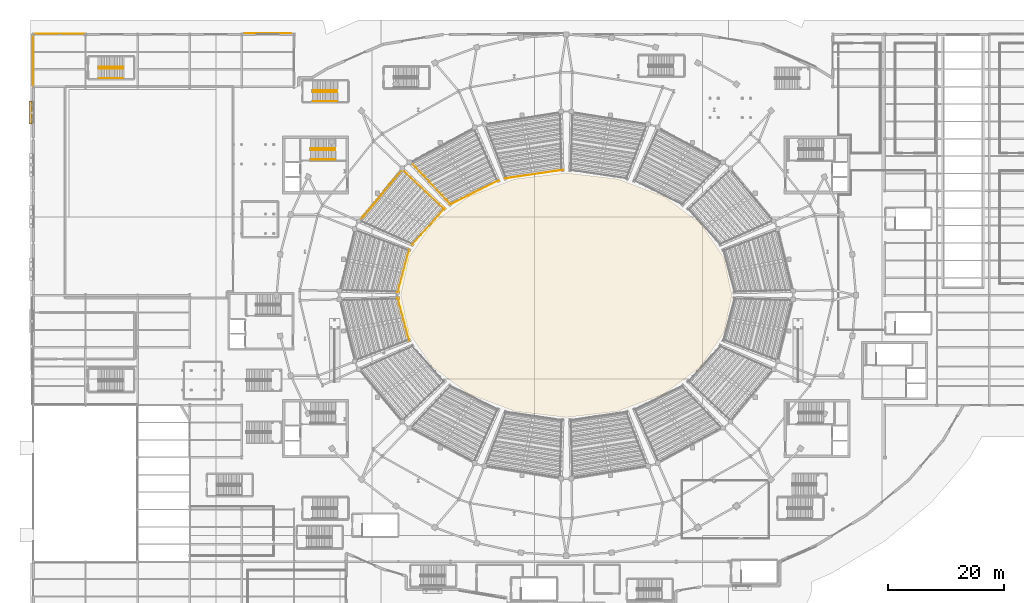
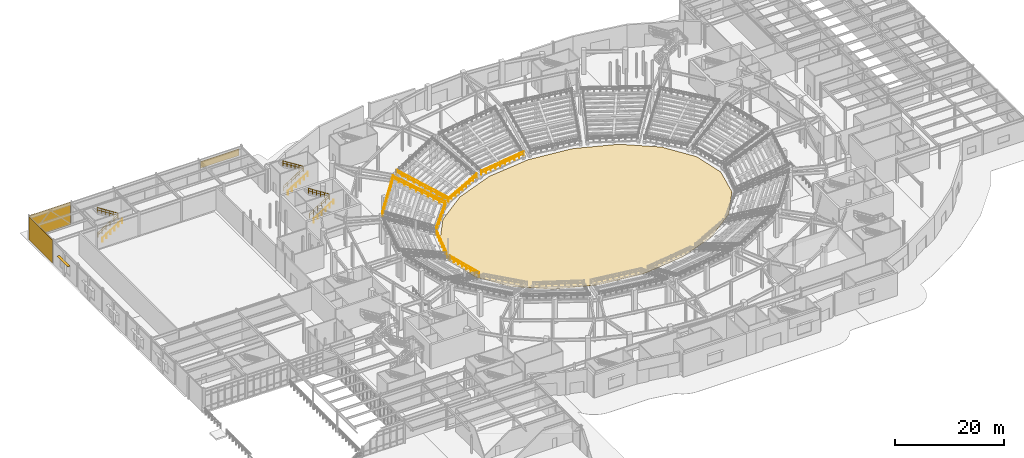
# One storey, part 75 of 79: 14 railings, 4 coverings, 1 shading device.
"""IFC4 building model written with IfcOpenShell, lengths in metres."""

from ifc_helpers import new_model, si_unit, direction, frame, origin, origin_2d, place, context, subcontext, project, spatial, polyline, rectangle, circle, outline, extrude, material, layer, layer_set, type_object, element, save


model = new_model("IFC4")

# Units and contexts
model_context = context("Model", 3, precision=1e-05, world=origin(), true_north=direction((0.0, 1.0)))
body_context = subcontext(model_context, "Body", "Model", "MODEL_VIEW")
ifc_project = project(units=[si_unit("LENGTHUNIT", "METRE"), si_unit("AREAUNIT", "SQUARE_METRE"), si_unit("VOLUMEUNIT", "CUBIC_METRE"), si_unit("PLANEANGLEUNIT", "RADIAN"), si_unit("MASSUNIT", "GRAM", prefix="KILO")], contexts=[model_context])

# Site, building, storey
site_placement = place(None, origin())
site = spatial("IfcSite", under=ifc_project, at=site_placement, CompositionType="ELEMENT")
building_placement = place(site_placement, origin())
building = spatial("IfcBuilding", under=site, at=building_placement, Name="Glasvene Arena", CompositionType="ELEMENT")
storey_placement = place(building_placement, origin())
storey = spatial("IfcBuildingStorey", under=building, at=storey_placement, Name="L00", CompositionType="ELEMENT", Elevation=0.0)

# Coverings
ifc_material_1 = material(Name="Coursed pale Irish limestone", Category="masonry")
ifc_layer_1 = layer(ifc_material_1, 0.050048828125)
ifc_layer_set_1 = layer_set([ifc_layer_1], Name="Coursed pale Irish limestone")
covering_type_1 = type_object("IfcCoveringType", Name="COV-CLAD-LIM", PredefinedType="CLADDING", material=ifc_layer_set_1)
covering_1_placement = place(storey_placement, frame((-0.139892578125, 113.467041015625, 0.0), z_axis=(0.0, 0.0, 1.0), x_axis=(0.0, 1.0, 0.0)))
element("IfcCovering", 1, at=covering_1_placement, inside=storey, type_object=covering_type_1, Name="Braced bay architectural cladding screen L00-010", PredefinedType="CLADDING", context=body_context, shape_type="SweptSolid", body=[
    extrude(rectangle(XDim=8.601806640625, YDim=0.050048828125, at=origin_2d()), origin(), (0.0, 0.0, 1.0), 5.1201171875),
])
covering_2_placement = place(storey_placement, frame((4.481689453125, 118.139892578125, 0.0), z_axis=(0.0, 0.0, 1.0), x_axis=(1.0, 0.0, 0.0)))
element("IfcCovering", 2, at=covering_2_placement, inside=storey, type_object=covering_type_1, Name="Braced bay architectural cladding screen L00-011", PredefinedType="CLADDING", context=body_context, shape_type="SweptSolid", body=[
    extrude(rectangle(XDim=8.69970703125, YDim=0.050048828125, at=origin_2d()), origin(), (0.0, 0.0, 1.0), 5.1201171875),
])
covering_3_placement = place(storey_placement, frame((40.48193359375, 118.219970703125, 2.949951171875), z_axis=(0.0, 0.0, 1.0), x_axis=(1.0, 0.0, 0.0)))
element("IfcCovering", 3, at=covering_3_placement, inside=storey, type_object=covering_type_1, Name="Irish limestone spandrel cladding EW-L00-0010", PredefinedType="CLADDING", context=body_context, shape_type="SweptSolid", body=[
    extrude(rectangle(XDim=8.15966796875, YDim=0.050048828125, at=origin_2d()), origin(), (0.0, 0.0, 1.0), 1.50732421875),
])
ifc_material_2 = material(Name="Sprung European maple sports flooring")
ifc_layer_2 = layer(ifc_material_2, 0.050048828125)
ifc_layer_set_2 = layer_set([ifc_layer_2], Name="Sprung European maple sports flooring")
covering_type_2 = type_object("IfcCoveringType", Name="COV-FLR-COURT", PredefinedType="FLOORING", material=ifc_layer_set_2)
covering_4_placement = place(storey_placement, frame((92.0, 73.0, 0.0)))
element("IfcCovering", 4, at=covering_4_placement, inside=storey, type_object=covering_type_2, Name="Event arena floor sprung maple sports surface", PredefinedType="FLOORING", context=body_context, shape_type="SweptSolid", body=[
    extrude(outline(polyline([(28.591064453125, 0.0), (27.2060546875, -6.482666015625), (23.169677734375, -12.355712890625), (16.852294921875, -17.039306640625), (8.8662109375, -20.05615234375), (0.0, -21.097412109375), (-8.8662109375, -20.05615234375), (-16.852294921875, -17.039306640625), (-23.169677734375, -12.355712890625), (-27.2060546875, -6.482666015625), (-28.591064453125, 0.0), (-27.2060546875, 6.482666015625), (-23.169677734375, 12.355712890625), (-16.852294921875, 17.039306640625), (-8.8662109375, 20.05615234375), (0.0, 21.097412109375), (8.8662109375, 20.05615234375), (16.852294921875, 17.039306640625), (23.169677734375, 12.355712890625), (27.2060546875, 6.482666015625), (28.591064453125, 0.0)])), origin(), (0.0, 0.0, 1.0), 0.050048828125),
])

# Railings
ifc_material_3 = material(Name="Brushed stainless steel", Category="steel")
railing_type_1 = type_object("IfcRailingType", Name="RL-GUARD-1100", PredefinedType="GUARDRAIL", material=ifc_material_3)
railing_1_placement = place(storey_placement, frame((47.85009765625, 98.010009765625, 0.0)))
element("IfcRailing", 5, at=railing_1_placement, inside=storey, type_object=railing_type_1, Name="Stair inner well continuous guardrail ST-01-L00", PredefinedType="GUARDRAIL", context=body_context, shape_type="SweptSolid", body=[
    extrude(circle(Radius=0.02392578125, at=origin_2d()), frame((0.0, 0.0, 1.076171875), z_axis=(0.843501457581, 0.0, 0.537126885437), x_axis=(0.0, 1.0, 0.0)), (0.0, 0.0, 1.0), 5.026611328125),
    extrude(circle(Radius=0.01611328125, at=origin_2d()), frame((0.0, 0.0, 0.550048828125), z_axis=(0.843501457581, 0.0, 0.537126885437), x_axis=(0.0, 1.0, 0.0)), (0.0, 0.0, 1.0), 5.026611328125),
    extrude(circle(Radius=0.02392578125, at=origin_2d()), frame((4.239990234375, 0.0, 3.77587890625), z_axis=(0.0, 1.0, 0.0), x_axis=(-1.0, 0.0, 0.0)), (0.0, 0.0, 1.0), 0.330078125),
    extrude(circle(Radius=0.01611328125, at=origin_2d()), frame((4.239990234375, 0.0, 3.25), z_axis=(0.0, 1.0, 0.0), x_axis=(-1.0, 0.0, 0.0)), (0.0, 0.0, 1.0), 0.330078125),
    extrude(circle(Radius=0.02392578125, at=origin_2d()), frame((4.239990234375, 0.330078125, 3.77587890625), z_axis=(-0.843501457581, 0.0, 0.537126885437), x_axis=(0.0, -1.0, 0.0)), (0.0, 0.0, 1.0), 5.026611328125),
    extrude(circle(Radius=0.01611328125, at=origin_2d()), frame((4.239990234375, 0.330078125, 3.25), z_axis=(-0.843501457581, 0.0, 0.537126885437), x_axis=(0.0, -1.0, 0.0)), (0.0, 0.0, 1.0), 5.026611328125),
    extrude(circle(Radius=0.02099609375, at=origin_2d()), origin(), (0.0, 0.0, 1.0), 1.052001953125),
    extrude(circle(Radius=0.02099609375, at=origin_2d()), frame((0.847900390625, 0.0, 0.5400390625)), (0.0, 0.0, 1.0), 1.052001953125),
    extrude(circle(Radius=0.02099609375, at=origin_2d()), frame((1.696044921875, 0.0, 1.080078125)), (0.0, 0.0, 1.0), 1.052001953125),
    extrude(circle(Radius=0.02099609375, at=origin_2d()), frame((2.5439453125, 0.0, 1.619873046875)), (0.0, 0.0, 1.0), 1.052001953125),
    extrude(circle(Radius=0.02099609375, at=origin_2d()), frame((3.39208984375, 0.0, 2.159912109375)), (0.0, 0.0, 1.0), 1.052001953125),
    extrude(circle(Radius=0.02099609375, at=origin_2d()), frame((4.239990234375, 0.0, 2.699951171875)), (0.0, 0.0, 1.0), 1.052001953125),
    extrude(circle(Radius=0.02099609375, at=origin_2d()), frame((4.239990234375, 0.330078125, 2.699951171875)), (0.0, 0.0, 1.0), 1.052001953125),
    extrude(circle(Radius=0.02099609375, at=origin_2d()), frame((3.39208984375, 0.330078125, 3.239990234375)), (0.0, 0.0, 1.0), 1.052001953125),
    extrude(circle(Radius=0.02099609375, at=origin_2d()), frame((2.5439453125, 0.330078125, 3.780029296875)), (0.0, 0.0, 1.0), 1.052001953125),
    extrude(circle(Radius=0.02099609375, at=origin_2d()), frame((1.696044921875, 0.330078125, 4.31982421875)), (0.0, 0.0, 1.0), 1.052001953125),
    extrude(circle(Radius=0.02099609375, at=origin_2d()), frame((0.847900390625, 0.330078125, 4.85986328125)), (0.0, 0.0, 1.0), 1.052001953125),
    extrude(circle(Radius=0.02099609375, at=origin_2d()), frame((0.0, 0.330078125, 5.39990234375)), (0.0, 0.0, 1.0), 1.052001953125),
])
railing_2_placement = place(storey_placement, frame((48.199951171875, 108.010009765625, 0.0)))
element("IfcRailing", 6, at=railing_2_placement, inside=storey, type_object=railing_type_1, Name="Stair inner well continuous guardrail ST-12-L00", PredefinedType="GUARDRAIL", context=body_context, shape_type="SweptSolid", body=[
    extrude(circle(Radius=0.02392578125, at=origin_2d()), frame((0.0, 0.0, 1.076171875), z_axis=(0.843501457581, 0.0, 0.537126885437), x_axis=(0.0, 1.0, 0.0)), (0.0, 0.0, 1.0), 5.026611328125),
    extrude(circle(Radius=0.01611328125, at=origin_2d()), frame((0.0, 0.0, 0.550048828125), z_axis=(0.843501457581, 0.0, 0.537126885437), x_axis=(0.0, 1.0, 0.0)), (0.0, 0.0, 1.0), 5.026611328125),
    extrude(circle(Radius=0.02392578125, at=origin_2d()), frame((4.239990234375, 0.0, 3.77587890625), z_axis=(0.0, 1.0, 0.0), x_axis=(-1.0, 0.0, 0.0)), (0.0, 0.0, 1.0), 0.330078125),
    extrude(circle(Radius=0.01611328125, at=origin_2d()), frame((4.239990234375, 0.0, 3.25), z_axis=(0.0, 1.0, 0.0), x_axis=(-1.0, 0.0, 0.0)), (0.0, 0.0, 1.0), 0.330078125),
    extrude(circle(Radius=0.02392578125, at=origin_2d()), frame((4.239990234375, 0.330078125, 3.77587890625), z_axis=(-0.843501457581, 0.0, 0.537126885437), x_axis=(0.0, -1.0, 0.0)), (0.0, 0.0, 1.0), 5.026611328125),
    extrude(circle(Radius=0.01611328125, at=origin_2d()), frame((4.239990234375, 0.330078125, 3.25), z_axis=(-0.843501457581, 0.0, 0.537126885437), x_axis=(0.0, -1.0, 0.0)), (0.0, 0.0, 1.0), 5.026611328125),
    extrude(circle(Radius=0.02099609375, at=origin_2d()), origin(), (0.0, 0.0, 1.0), 1.052001953125),
    extrude(circle(Radius=0.02099609375, at=origin_2d()), frame((0.847900390625, 0.0, 0.5400390625)), (0.0, 0.0, 1.0), 1.052001953125),
    extrude(circle(Radius=0.02099609375, at=origin_2d()), frame((1.696044921875, 0.0, 1.080078125)), (0.0, 0.0, 1.0), 1.052001953125),
    extrude(circle(Radius=0.02099609375, at=origin_2d()), frame((2.5439453125, 0.0, 1.619873046875)), (0.0, 0.0, 1.0), 1.052001953125),
    extrude(circle(Radius=0.02099609375, at=origin_2d()), frame((3.39208984375, 0.0, 2.159912109375)), (0.0, 0.0, 1.0), 1.052001953125),
    extrude(circle(Radius=0.02099609375, at=origin_2d()), frame((4.239990234375, 0.0, 2.699951171875)), (0.0, 0.0, 1.0), 1.052001953125),
    extrude(circle(Radius=0.02099609375, at=origin_2d()), frame((4.239990234375, 0.330078125, 2.699951171875)), (0.0, 0.0, 1.0), 1.052001953125),
    extrude(circle(Radius=0.02099609375, at=origin_2d()), frame((3.39208984375, 0.330078125, 3.239990234375)), (0.0, 0.0, 1.0), 1.052001953125),
    extrude(circle(Radius=0.02099609375, at=origin_2d()), frame((2.5439453125, 0.330078125, 3.780029296875)), (0.0, 0.0, 1.0), 1.052001953125),
    extrude(circle(Radius=0.02099609375, at=origin_2d()), frame((1.696044921875, 0.330078125, 4.31982421875)), (0.0, 0.0, 1.0), 1.052001953125),
    extrude(circle(Radius=0.02099609375, at=origin_2d()), frame((0.847900390625, 0.330078125, 4.85986328125)), (0.0, 0.0, 1.0), 1.052001953125),
    extrude(circle(Radius=0.02099609375, at=origin_2d()), frame((0.0, 0.330078125, 5.39990234375)), (0.0, 0.0, 1.0), 1.052001953125),
])
railing_3_placement = place(storey_placement, frame((11.199951171875, 112.110107421875, 0.0)))
element("IfcRailing", 7, at=railing_3_placement, inside=storey, type_object=railing_type_1, Name="Stair inner well continuous guardrail ST-14-L00", PredefinedType="GUARDRAIL", context=body_context, shape_type="SweptSolid", body=[
    extrude(circle(Radius=0.02392578125, at=origin_2d()), frame((0.0, 0.0, 1.076171875), z_axis=(0.843501457581, 0.0, 0.537126885437), x_axis=(0.0, 1.0, 0.0)), (0.0, 0.0, 1.0), 5.026611328125),
    extrude(circle(Radius=0.01611328125, at=origin_2d()), frame((0.0, 0.0, 0.550048828125), z_axis=(0.843501457581, 0.0, 0.537126885437), x_axis=(0.0, 1.0, 0.0)), (0.0, 0.0, 1.0), 5.026611328125),
    extrude(circle(Radius=0.02392578125, at=origin_2d()), frame((4.239990234375, 0.0, 3.77587890625), z_axis=(0.0, 1.0, 0.0), x_axis=(-1.0, 0.0, 0.0)), (0.0, 0.0, 1.0), 0.329833984375),
    extrude(circle(Radius=0.01611328125, at=origin_2d()), frame((4.239990234375, 0.0, 3.25), z_axis=(0.0, 1.0, 0.0), x_axis=(-1.0, 0.0, 0.0)), (0.0, 0.0, 1.0), 0.329833984375),
    extrude(circle(Radius=0.02392578125, at=origin_2d()), frame((4.239990234375, 0.329833984375, 3.77587890625), z_axis=(-0.843501457581, 0.0, 0.537126885437), x_axis=(0.0, -1.0, 0.0)), (0.0, 0.0, 1.0), 5.026611328125),
    extrude(circle(Radius=0.01611328125, at=origin_2d()), frame((4.239990234375, 0.329833984375, 3.25), z_axis=(-0.843501457581, 0.0, 0.537126885437), x_axis=(0.0, -1.0, 0.0)), (0.0, 0.0, 1.0), 5.026611328125),
    extrude(circle(Radius=0.02099609375, at=origin_2d()), origin(), (0.0, 0.0, 1.0), 1.052001953125),
    extrude(circle(Radius=0.02099609375, at=origin_2d()), frame((0.847900390625, 0.0, 0.5400390625)), (0.0, 0.0, 1.0), 1.052001953125),
    extrude(circle(Radius=0.02099609375, at=origin_2d()), frame((1.696044921875, 0.0, 1.080078125)), (0.0, 0.0, 1.0), 1.052001953125),
    extrude(circle(Radius=0.02099609375, at=origin_2d()), frame((2.5439453125, 0.0, 1.619873046875)), (0.0, 0.0, 1.0), 1.052001953125),
    extrude(circle(Radius=0.02099609375, at=origin_2d()), frame((3.39208984375, 0.0, 2.159912109375)), (0.0, 0.0, 1.0), 1.052001953125),
    extrude(circle(Radius=0.02099609375, at=origin_2d()), frame((4.239990234375, 0.0, 2.699951171875)), (0.0, 0.0, 1.0), 1.052001953125),
    extrude(circle(Radius=0.02099609375, at=origin_2d()), frame((4.239990234375, 0.329833984375, 2.699951171875)), (0.0, 0.0, 1.0), 1.052001953125),
    extrude(circle(Radius=0.02099609375, at=origin_2d()), frame((3.39208984375, 0.329833984375, 3.239990234375)), (0.0, 0.0, 1.0), 1.052001953125),
    extrude(circle(Radius=0.02099609375, at=origin_2d()), frame((2.5439453125, 0.329833984375, 3.780029296875)), (0.0, 0.0, 1.0), 1.052001953125),
    extrude(circle(Radius=0.02099609375, at=origin_2d()), frame((1.696044921875, 0.329833984375, 4.31982421875)), (0.0, 0.0, 1.0), 1.052001953125),
    extrude(circle(Radius=0.02099609375, at=origin_2d()), frame((0.847900390625, 0.329833984375, 4.85986328125)), (0.0, 0.0, 1.0), 1.052001953125),
    extrude(circle(Radius=0.02099609375, at=origin_2d()), frame((0.0, 0.329833984375, 5.39990234375)), (0.0, 0.0, 1.0), 1.052001953125),
])
railing_4_placement = place(storey_placement, frame((91.33935546875, 94.614501953125, 0.760009765625)))
element("IfcRailing", 8, at=railing_4_placement, inside=storey, type_object=railing_type_1, Name="Safety guardrail GD-TL-LF-05-001", PredefinedType="GUARDRAIL", context=body_context, shape_type="SweptSolid", body=[
    extrude(circle(Radius=0.02392578125, at=origin_2d()), frame((0.0, 0.0, 1.076171875), z_axis=(-0.989267876597, -0.146113203828, 0.0), x_axis=(0.146113203828, -0.989267876597, 0.0)), (0.0, 0.0, 1.0), 9.97705078125),
    extrude(circle(Radius=0.01611328125, at=origin_2d()), frame((0.0, 0.0, 0.550048828125), z_axis=(-0.989267876597, -0.146113203828, 0.0), x_axis=(0.146113203828, -0.989267876597, 0.0)), (0.0, 0.0, 1.0), 9.97705078125),
    extrude(circle(Radius=0.02099609375, at=origin_2d()), origin(), (0.0, 0.0, 1.0), 1.052001953125),
    extrude(circle(Radius=0.02099609375, at=origin_2d()), frame((-1.0966796875, -0.161865234375, 0.0)), (0.0, 0.0, 1.0), 1.052001953125),
    extrude(circle(Radius=0.02099609375, at=origin_2d()), frame((-2.193359375, -0.323974609375, 0.0)), (0.0, 0.0, 1.0), 1.052001953125),
    extrude(circle(Radius=0.02099609375, at=origin_2d()), frame((-3.2900390625, -0.48583984375, 0.0)), (0.0, 0.0, 1.0), 1.052001953125),
    extrude(circle(Radius=0.02099609375, at=origin_2d()), frame((-4.38671875, -0.64794921875, 0.0)), (0.0, 0.0, 1.0), 1.052001953125),
    extrude(circle(Radius=0.02099609375, at=origin_2d()), frame((-5.483154296875, -0.809814453125, 0.0)), (0.0, 0.0, 1.0), 1.052001953125),
    extrude(circle(Radius=0.02099609375, at=origin_2d()), frame((-6.579833984375, -0.971923828125, 0.0)), (0.0, 0.0, 1.0), 1.052001953125),
    extrude(circle(Radius=0.02099609375, at=origin_2d()), frame((-7.676513671875, -1.1337890625, 0.0)), (0.0, 0.0, 1.0), 1.052001953125),
    extrude(circle(Radius=0.02099609375, at=origin_2d()), frame((-8.773193359375, -1.2958984375, 0.0)), (0.0, 0.0, 1.0), 1.052001953125),
    extrude(circle(Radius=0.02099609375, at=origin_2d()), frame((-9.869873046875, -1.457763671875, 0.0)), (0.0, 0.0, 1.0), 1.052001953125),
])
railing_5_placement = place(storey_placement, frame((80.248779296875, 92.781494140625, 0.760009765625)))
element("IfcRailing", 9, at=railing_5_placement, inside=storey, type_object=railing_type_1, Name="Safety guardrail GD-TL-LF-06-001", PredefinedType="GUARDRAIL", context=body_context, shape_type="SweptSolid", body=[
    extrude(circle(Radius=0.02392578125, at=origin_2d()), frame((0.0, 0.0, 1.076171875), z_axis=(-0.895823833507, -0.444409337572, 0.0), x_axis=(0.444409337572, -0.895823833507, 0.0)), (0.0, 0.0, 1.0), 9.34033203125),
    extrude(circle(Radius=0.01611328125, at=origin_2d()), frame((0.0, 0.0, 0.550048828125), z_axis=(-0.895823833507, -0.444409337572, 0.0), x_axis=(0.444409337572, -0.895823833507, 0.0)), (0.0, 0.0, 1.0), 9.34033203125),
    extrude(circle(Radius=0.02099609375, at=origin_2d()), origin(), (0.0, 0.0, 1.0), 1.052001953125),
    extrude(circle(Radius=0.02099609375, at=origin_2d()), frame((-1.0458984375, -0.518798828125, 0.0)), (0.0, 0.0, 1.0), 1.052001953125),
    extrude(circle(Radius=0.02099609375, at=origin_2d()), frame((-2.091796875, -1.03759765625, 0.0)), (0.0, 0.0, 1.0), 1.052001953125),
    extrude(circle(Radius=0.02099609375, at=origin_2d()), frame((-3.1376953125, -1.556640625, 0.0)), (0.0, 0.0, 1.0), 1.052001953125),
    extrude(circle(Radius=0.02099609375, at=origin_2d()), frame((-4.18359375, -2.075439453125, 0.0)), (0.0, 0.0, 1.0), 1.052001953125),
    extrude(circle(Radius=0.02099609375, at=origin_2d()), frame((-5.2294921875, -2.59423828125, 0.0)), (0.0, 0.0, 1.0), 1.052001953125),
    extrude(circle(Radius=0.02099609375, at=origin_2d()), frame((-6.275390625, -3.11328125, 0.0)), (0.0, 0.0, 1.0), 1.052001953125),
    extrude(circle(Radius=0.02099609375, at=origin_2d()), frame((-7.3212890625, -3.632080078125, 0.0)), (0.0, 0.0, 1.0), 1.052001953125),
    extrude(circle(Radius=0.02099609375, at=origin_2d()), frame((-8.3671875, -4.15087890625, 0.0)), (0.0, 0.0, 1.0), 1.052001953125),
])
railing_6_placement = place(storey_placement, frame((71.96630859375, 88.726806640625, 0.760009765625)))
element("IfcRailing", 10, at=railing_6_placement, inside=storey, type_object=railing_type_1, Name="Lower tier radial aisle guard 06-2", PredefinedType="GUARDRAIL", context=body_context, shape_type="SweptSolid", body=[
    extrude(circle(Radius=0.02392578125, at=origin_2d()), frame((0.0, 0.0, 1.076171875), z_axis=(-0.633133120907, 0.669210894554, 0.388972016759), x_axis=(-0.726416506845, -0.687254726126, 0.0)), (0.0, 0.0, 1.0), 10.74609375),
    extrude(circle(Radius=0.01611328125, at=origin_2d()), frame((0.0, 0.0, 0.550048828125), z_axis=(-0.633133120907, 0.669210894554, 0.388972016759), x_axis=(-0.726416506845, -0.687254726126, 0.0)), (0.0, 0.0, 1.0), 10.74609375),
    extrude(circle(Radius=0.02099609375, at=origin_2d()), origin(), (0.0, 0.0, 1.0), 1.052001953125),
    extrude(circle(Radius=0.02099609375, at=origin_2d()), frame((-0.755859375, 0.799072265625, 0.46435546875)), (0.0, 0.0, 1.0), 1.052001953125),
    extrude(circle(Radius=0.02099609375, at=origin_2d()), frame((-1.511962890625, 1.59814453125, 0.928955078125)), (0.0, 0.0, 1.0), 1.052001953125),
    extrude(circle(Radius=0.02099609375, at=origin_2d()), frame((-2.267822265625, 2.397216796875, 1.393310546875)), (0.0, 0.0, 1.0), 1.052001953125),
    extrude(circle(Radius=0.02099609375, at=origin_2d()), frame((-3.02392578125, 3.1962890625, 1.857666015625)), (0.0, 0.0, 1.0), 1.052001953125),
    extrude(circle(Radius=0.02099609375, at=origin_2d()), frame((-3.77978515625, 3.9951171875, 2.322265625)), (0.0, 0.0, 1.0), 1.052001953125),
    extrude(circle(Radius=0.02099609375, at=origin_2d()), frame((-4.535888671875, 4.794189453125, 2.78662109375)), (0.0, 0.0, 1.0), 1.052001953125),
    extrude(circle(Radius=0.02099609375, at=origin_2d()), frame((-5.291748046875, 5.59326171875, 3.2509765625)), (0.0, 0.0, 1.0), 1.052001953125),
    extrude(circle(Radius=0.02099609375, at=origin_2d()), frame((-6.0478515625, 6.392333984375, 3.715576171875)), (0.0, 0.0, 1.0), 1.052001953125),
    extrude(circle(Radius=0.02099609375, at=origin_2d()), frame((-6.8037109375, 7.19140625, 4.179931640625)), (0.0, 0.0, 1.0), 1.052001953125),
])
railing_7_placement = place(storey_placement, frame((70.947265625, 87.93701171875, 0.760009765625)))
element("IfcRailing", 11, at=railing_7_placement, inside=storey, type_object=railing_type_1, Name="Safety guardrail GD-TL-LF-07-001", PredefinedType="GUARDRAIL", context=body_context, shape_type="SweptSolid", body=[
    extrude(circle(Radius=0.02392578125, at=origin_2d()), frame((0.0, 0.0, 1.076171875), z_axis=(-0.668942136824, -0.743314480944, 0.0), x_axis=(0.743314480944, -0.668942136824, 0.0)), (0.0, 0.0, 1.0), 8.357666015625),
    extrude(circle(Radius=0.01611328125, at=origin_2d()), frame((0.0, 0.0, 0.550048828125), z_axis=(-0.668942136824, -0.743314480944, 0.0), x_axis=(0.743314480944, -0.668942136824, 0.0)), (0.0, 0.0, 1.0), 8.357666015625),
    extrude(circle(Radius=0.02099609375, at=origin_2d()), origin(), (0.0, 0.0, 1.0), 1.052001953125),
    extrude(circle(Radius=0.02099609375, at=origin_2d()), frame((-0.798583984375, -0.887451171875, 0.0)), (0.0, 0.0, 1.0), 1.052001953125),
    extrude(circle(Radius=0.02099609375, at=origin_2d()), frame((-1.597412109375, -1.77490234375, 0.0)), (0.0, 0.0, 1.0), 1.052001953125),
    extrude(circle(Radius=0.02099609375, at=origin_2d()), frame((-2.39599609375, -2.662353515625, 0.0)), (0.0, 0.0, 1.0), 1.052001953125),
    extrude(circle(Radius=0.02099609375, at=origin_2d()), frame((-3.19482421875, -3.550048828125, 0.0)), (0.0, 0.0, 1.0), 1.052001953125),
    extrude(circle(Radius=0.02099609375, at=origin_2d()), frame((-3.993408203125, -4.4375, 0.0)), (0.0, 0.0, 1.0), 1.052001953125),
    extrude(circle(Radius=0.02099609375, at=origin_2d()), frame((-4.792236328125, -5.324951171875, 0.0)), (0.0, 0.0, 1.0), 1.052001953125),
    extrude(circle(Radius=0.02099609375, at=origin_2d()), frame((-5.5908203125, -6.21240234375, 0.0)), (0.0, 0.0, 1.0), 1.052001953125),
])
railing_8_placement = place(storey_placement, frame((63.746337890625, 94.818115234375, 4.93994140625)))
element("IfcRailing", 12, at=railing_8_placement, inside=storey, type_object=railing_type_1, Name="Safety guardrail GD-TL-LR-07-001", PredefinedType="GUARDRAIL", context=body_context, shape_type="SweptSolid", body=[
    extrude(circle(Radius=0.02392578125, at=origin_2d()), frame((0.0, 0.0, 1.076171875), z_axis=(-0.637226468671, -0.770676603787, 0.0), x_axis=(0.770676603787, -0.637226468671, 0.0)), (0.0, 0.0, 1.0), 11.7744140625),
    extrude(circle(Radius=0.01611328125, at=origin_2d()), frame((0.0, 0.0, 0.550048828125), z_axis=(-0.637226468671, -0.770676603787, 0.0), x_axis=(0.770676603787, -0.637226468671, 0.0)), (0.0, 0.0, 1.0), 11.7744140625),
    extrude(circle(Radius=0.02099609375, at=origin_2d()), origin(), (0.0, 0.0, 1.0), 1.052001953125),
    extrude(circle(Radius=0.02099609375, at=origin_2d()), frame((-0.750244140625, -0.907470703125, 0.0)), (0.0, 0.0, 1.0), 1.052001953125),
    extrude(circle(Radius=0.02099609375, at=origin_2d()), frame((-1.50048828125, -1.81494140625, 0.0)), (0.0, 0.0, 1.0), 1.052001953125),
    extrude(circle(Radius=0.02099609375, at=origin_2d()), frame((-2.2509765625, -2.72216796875, 0.0)), (0.0, 0.0, 1.0), 1.052001953125),
    extrude(circle(Radius=0.02099609375, at=origin_2d()), frame((-3.001220703125, -3.629638671875, 0.0)), (0.0, 0.0, 1.0), 1.052001953125),
    extrude(circle(Radius=0.02099609375, at=origin_2d()), frame((-3.75146484375, -4.537109375, 0.0)), (0.0, 0.0, 1.0), 1.052001953125),
    extrude(circle(Radius=0.02099609375, at=origin_2d()), frame((-4.501708984375, -5.444580078125, 0.0)), (0.0, 0.0, 1.0), 1.052001953125),
    extrude(circle(Radius=0.02099609375, at=origin_2d()), frame((-5.251953125, -6.35205078125, 0.0)), (0.0, 0.0, 1.0), 1.052001953125),
    extrude(circle(Radius=0.02099609375, at=origin_2d()), frame((-6.00244140625, -7.25927734375, 0.0)), (0.0, 0.0, 1.0), 1.052001953125),
    extrude(circle(Radius=0.02099609375, at=origin_2d()), frame((-6.752685546875, -8.166748046875, 0.0)), (0.0, 0.0, 1.0), 1.052001953125),
    extrude(circle(Radius=0.02099609375, at=origin_2d()), frame((-7.5029296875, -9.07421875, 0.0)), (0.0, 0.0, 1.0), 1.052001953125),
])
railing_9_placement = place(storey_placement, frame((70.8251953125, 87.879150390625, 0.760009765625)))
element("IfcRailing", 13, at=railing_9_placement, inside=storey, type_object=railing_type_1, Name="Lower tier radial aisle guard 07-1", PredefinedType="GUARDRAIL", context=body_context, shape_type="SweptSolid", body=[
    extrude(circle(Radius=0.02392578125, at=origin_2d()), frame((0.0, 0.0, 1.076171875), z_axis=(-0.669213812834, 0.633137106626, 0.388960508183), x_axis=(-0.687255427654, -0.726415843137, 0.0)), (0.0, 0.0, 1.0), 10.746337890625),
    extrude(circle(Radius=0.01611328125, at=origin_2d()), frame((0.0, 0.0, 0.550048828125), z_axis=(-0.669213812834, 0.633137106626, 0.388960508183), x_axis=(-0.687255427654, -0.726415843137, 0.0)), (0.0, 0.0, 1.0), 10.746337890625),
    extrude(circle(Radius=0.02099609375, at=origin_2d()), origin(), (0.0, 0.0, 1.0), 1.052001953125),
    extrude(circle(Radius=0.02099609375, at=origin_2d()), frame((-0.799072265625, 0.756103515625, 0.46435546875)), (0.0, 0.0, 1.0), 1.052001953125),
    extrude(circle(Radius=0.02099609375, at=origin_2d()), frame((-1.59814453125, 1.511962890625, 0.928955078125)), (0.0, 0.0, 1.0), 1.052001953125),
    extrude(circle(Radius=0.02099609375, at=origin_2d()), frame((-2.397216796875, 2.26806640625, 1.393310546875)), (0.0, 0.0, 1.0), 1.052001953125),
    extrude(circle(Radius=0.02099609375, at=origin_2d()), frame((-3.1962890625, 3.02392578125, 1.857666015625)), (0.0, 0.0, 1.0), 1.052001953125),
    extrude(circle(Radius=0.02099609375, at=origin_2d()), frame((-3.995361328125, 3.780029296875, 2.322265625)), (0.0, 0.0, 1.0), 1.052001953125),
    extrude(circle(Radius=0.02099609375, at=origin_2d()), frame((-4.79443359375, 4.535888671875, 2.78662109375)), (0.0, 0.0, 1.0), 1.052001953125),
    extrude(circle(Radius=0.02099609375, at=origin_2d()), frame((-5.593505859375, 5.2919921875, 3.2509765625)), (0.0, 0.0, 1.0), 1.052001953125),
    extrude(circle(Radius=0.02099609375, at=origin_2d()), frame((-6.392578125, 6.0478515625, 3.715576171875)), (0.0, 0.0, 1.0), 1.052001953125),
    extrude(circle(Radius=0.02099609375, at=origin_2d()), frame((-7.191650390625, 6.803955078125, 4.179931640625)), (0.0, 0.0, 1.0), 1.052001953125),
])
railing_10_placement = place(storey_placement, frame((64.8505859375, 80.818359375, 0.760009765625)))
element("IfcRailing", 14, at=railing_10_placement, inside=storey, type_object=railing_type_1, Name="Safety guardrail GD-TL-LF-08-001", PredefinedType="GUARDRAIL", context=body_context, shape_type="SweptSolid", body=[
    extrude(circle(Radius=0.02392578125, at=origin_2d()), frame((0.0, 0.0, 1.076171875), z_axis=(-0.258774155534, -0.965937853295, 0.0), x_axis=(0.965937853295, -0.258774155534, 0.0)), (0.0, 0.0, 1.0), 7.586181640625),
    extrude(circle(Radius=0.01611328125, at=origin_2d()), frame((0.0, 0.0, 0.550048828125), z_axis=(-0.258774155534, -0.965937853295, 0.0), x_axis=(0.965937853295, -0.258774155534, 0.0)), (0.0, 0.0, 1.0), 7.586181640625),
    extrude(circle(Radius=0.02099609375, at=origin_2d()), origin(), (0.0, 0.0, 1.0), 1.052001953125),
    extrude(circle(Radius=0.02099609375, at=origin_2d()), frame((-0.280517578125, -1.046875, 0.0)), (0.0, 0.0, 1.0), 1.052001953125),
    extrude(circle(Radius=0.02099609375, at=origin_2d()), frame((-0.560791015625, -2.09375, 0.0)), (0.0, 0.0, 1.0), 1.052001953125),
    extrude(circle(Radius=0.02099609375, at=origin_2d()), frame((-0.84130859375, -3.140625, 0.0)), (0.0, 0.0, 1.0), 1.052001953125),
    extrude(circle(Radius=0.02099609375, at=origin_2d()), frame((-1.121826171875, -4.187255859375, 0.0)), (0.0, 0.0, 1.0), 1.052001953125),
    extrude(circle(Radius=0.02099609375, at=origin_2d()), frame((-1.40234375, -5.234130859375, 0.0)), (0.0, 0.0, 1.0), 1.052001953125),
    extrude(circle(Radius=0.02099609375, at=origin_2d()), frame((-1.6826171875, -6.281005859375, 0.0)), (0.0, 0.0, 1.0), 1.052001953125),
    extrude(circle(Radius=0.02099609375, at=origin_2d()), frame((-1.963134765625, -7.327880859375, 0.0)), (0.0, 0.0, 1.0), 1.052001953125),
])
railing_11_placement = place(storey_placement, frame((62.887451171875, 72.509521484375, 0.760009765625)))
element("IfcRailing", 15, at=railing_11_placement, inside=storey, type_object=railing_type_1, Name="Safety guardrail GD-TL-LF-09-001", PredefinedType="GUARDRAIL", context=body_context, shape_type="SweptSolid", body=[
    extrude(circle(Radius=0.02392578125, at=origin_2d()), frame((0.0, 0.0, 1.076171875), z_axis=(0.258774155534, -0.965937853295, 0.0), x_axis=(0.965937853295, 0.258774155534, 0.0)), (0.0, 0.0, 1.0), 7.586181640625),
    extrude(circle(Radius=0.01611328125, at=origin_2d()), frame((0.0, 0.0, 0.550048828125), z_axis=(0.258774155534, -0.965937853295, 0.0), x_axis=(0.965937853295, 0.258774155534, 0.0)), (0.0, 0.0, 1.0), 7.586181640625),
    extrude(circle(Radius=0.02099609375, at=origin_2d()), origin(), (0.0, 0.0, 1.0), 1.052001953125),
    extrude(circle(Radius=0.02099609375, at=origin_2d()), frame((0.280517578125, -1.046875, 0.0)), (0.0, 0.0, 1.0), 1.052001953125),
    extrude(circle(Radius=0.02099609375, at=origin_2d()), frame((0.560791015625, -2.09375, 0.0)), (0.0, 0.0, 1.0), 1.052001953125),
    extrude(circle(Radius=0.02099609375, at=origin_2d()), frame((0.84130859375, -3.140625, 0.0)), (0.0, 0.0, 1.0), 1.052001953125),
    extrude(circle(Radius=0.02099609375, at=origin_2d()), frame((1.121826171875, -4.187255859375, 0.0)), (0.0, 0.0, 1.0), 1.052001953125),
    extrude(circle(Radius=0.02099609375, at=origin_2d()), frame((1.40234375, -5.234130859375, 0.0)), (0.0, 0.0, 1.0), 1.052001953125),
    extrude(circle(Radius=0.02099609375, at=origin_2d()), frame((1.6826171875, -6.281005859375, 0.0)), (0.0, 0.0, 1.0), 1.052001953125),
    extrude(circle(Radius=0.02099609375, at=origin_2d()), frame((1.963134765625, -7.327880859375, 0.0)), (0.0, 0.0, 1.0), 1.052001953125),
])
railing_type_2 = type_object("IfcRailingType", Name="RL-HAND-950", PredefinedType="HANDRAIL", material=ifc_material_3)
for number, where, name in (
    (16, (47.85009765625, 96.409912109375, 0.0), "Stair wall handrail ST-01-L00"),
    (17, (48.199951171875, 106.4599609375, 0.0), "Stair wall handrail ST-12-L00"),
    (18, (11.199951171875, 110.4599609375, 0.0), "Stair wall handrail ST-14-L00"),
):
    element("IfcRailing", number, at=place(storey_placement, frame(where)), inside=storey, type_object=railing_type_2, Name=name, PredefinedType="HANDRAIL", context=body_context, shape_type="SweptSolid", body=[
        extrude(circle(Radius=0.02392578125, at=origin_2d()), frame((0.0, 0.0, 0.92578125), z_axis=(0.841180064094, 0.0, 0.540755119968), x_axis=(0.0, 1.0, 0.0)), (0.0, 0.0, 1.0), 4.992919921875),
        extrude(circle(Radius=0.02099609375, at=origin_2d()), origin(), (0.0, 0.0, 1.0), 0.90185546875),
        extrude(circle(Radius=0.02099609375, at=origin_2d()), frame((0.840087890625, 0.0, 0.5400390625)), (0.0, 0.0, 1.0), 0.90185546875),
        extrude(circle(Radius=0.02099609375, at=origin_2d()), frame((1.679931640625, 0.0, 1.080078125)), (0.0, 0.0, 1.0), 0.90185546875),
        extrude(circle(Radius=0.02099609375, at=origin_2d()), frame((2.52001953125, 0.0, 1.619873046875)), (0.0, 0.0, 1.0), 0.90185546875),
        extrude(circle(Radius=0.02099609375, at=origin_2d()), frame((3.35986328125, 0.0, 2.159912109375)), (0.0, 0.0, 1.0), 0.90185546875),
        extrude(circle(Radius=0.02099609375, at=origin_2d()), frame((4.199951171875, 0.0, 2.699951171875)), (0.0, 0.0, 1.0), 0.90185546875),
    ])

# Shading device
ifc_material_4 = material(Name="Warm bronze architectural aluminium", Category="aluminium")
ifc_layer_3 = layer(ifc_material_4, 0.06005859375)
ifc_layer_set_3 = layer_set([ifc_layer_3], Name="Warm bronze architectural aluminium")
shading_device_type = type_object("IfcShadingDeviceType", Name="SHD-BRONZE-FIN", PredefinedType="USERDEFINED", material=ifc_layer_set_3)
shading_device_placement = place(storey_placement, frame((-0.465087890625, 104.532958984375, 3.320068359375), z_axis=(0.0, 0.0, 1.0), x_axis=(0.0, 1.0, 0.0)))
element("IfcShadingDevice", 19, at=shading_device_placement, inside=storey, type_object=shading_device_type, Name="Warm bronze brise-soleil fin BS-005", ObjectType="BRISE SOLEIL", PredefinedType="USERDEFINED", context=body_context, shape_type="SweptSolid", body=[
    extrude(rectangle(XDim=3.89990234375, YDim=0.550048828125, at=origin_2d()), origin(), (0.0, 0.0, 1.0), 0.06005859375),
])

save(model, "model.ifc")
